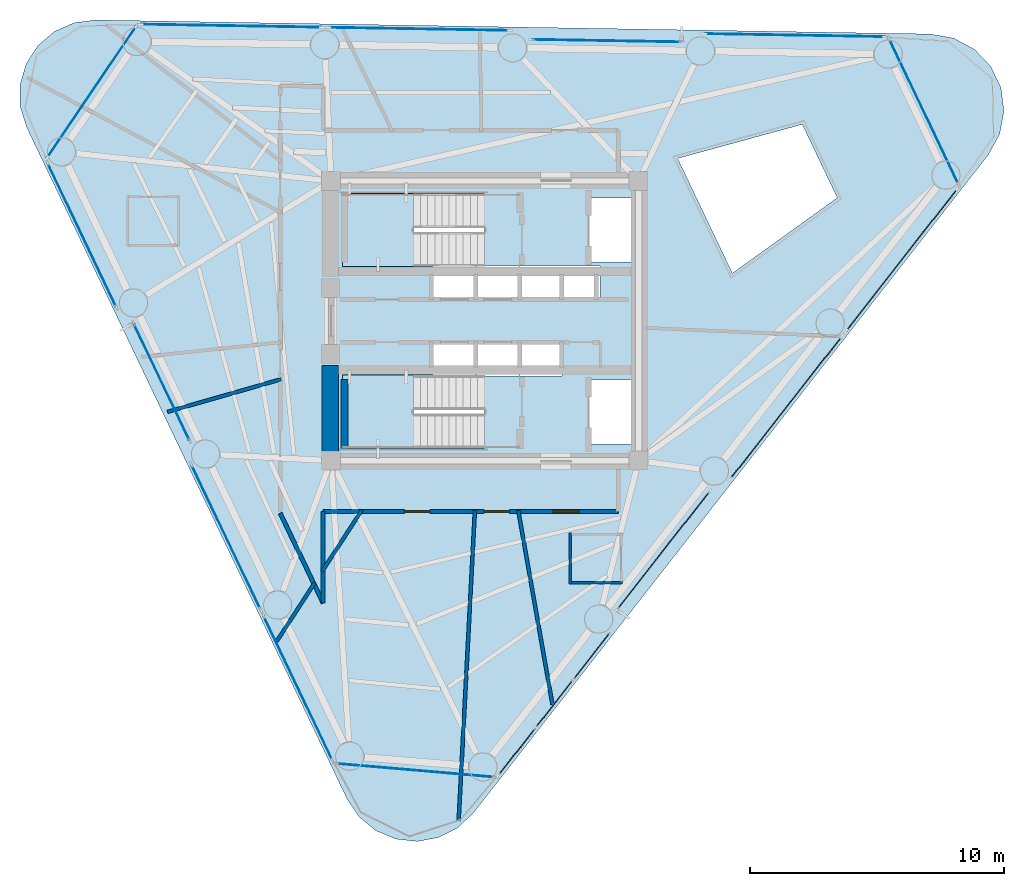
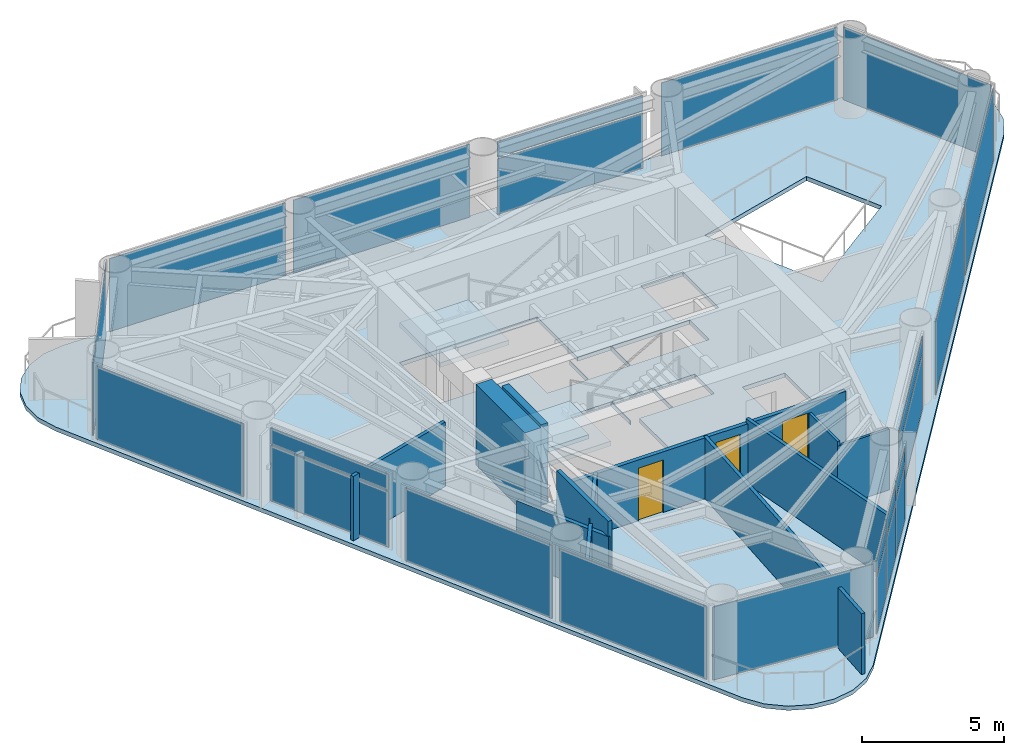
# One storey, part 4 of 9: 23 plates, 12 walls, 3 doors, 3 slabs, 3 openings, 17 elements without a shape of their own.
"""IFC4 building model written with IfcOpenShell, lengths in metres."""

from ifc_helpers import new_model, si_unit, direction, frame, frame_2d, origin, origin_2d, place, context, subcontext, project, spatial, polyline, rectangle, outline, extrude, source, transform, mapped, material, layer, layer_set, type_object, element, fill, aggregate, save


model = new_model("IFC4")

# Units and contexts
model_context = context("Model", 3, precision=1e-05, world=origin(), true_north=direction((0.0, 1.0)))
body_context = subcontext(model_context, "Body", "Model", "MODEL_VIEW")
ifc_project = project(units=[si_unit("LENGTHUNIT", "METRE"), si_unit("AREAUNIT", "SQUARE_METRE"), si_unit("VOLUMEUNIT", "CUBIC_METRE"), si_unit("PLANEANGLEUNIT", "RADIAN"), si_unit("MASSUNIT", "GRAM", prefix="KILO")], contexts=[model_context])

# Site, building, storey
site_placement = place(None, origin())
site = spatial("IfcSite", under=ifc_project, at=site_placement, CompositionType="ELEMENT")
building_placement = place(site_placement, origin())
building = spatial("IfcBuilding", under=site, at=building_placement, Name="Yunling Apex Tower", CompositionType="ELEMENT")
storey_placement = place(building_placement, frame((0.0, 0.0, 198.35009765625)))
storey = spatial("IfcBuildingStorey", under=building, at=storey_placement, Name="L48", CompositionType="ELEMENT", Elevation=198.35009765625)

# Slab
ifc_material_1 = material(Name="Concrete C40", Category="concrete")
ifc_layer_1 = layer(ifc_material_1, 0.1650390625)
ifc_layer_set_1 = layer_set([ifc_layer_1], Name="Concrete C40")
slab_type_1 = type_object("IfcSlabType", Name="SL-FLR-2", PredefinedType="FLOOR", material=ifc_layer_set_1)
slab_1_placement = place(storey_placement, frame((0.0, 0.0, -0.18017578125)))
element("IfcSlab", 1, at=slab_1_placement, inside=storey, type_object=slab_type_1, Name="L48 Composite Tower Floor Slab", PredefinedType="FLOOR", context=body_context, shape_type="SweptSolid", body=[
    extrude(outline(polyline([(-5.42578125, -18.80419921875), (-4.95068359375, -19.513427734375), (-4.29248046875, -20.056884765625), (-3.506103515625, -20.38916015625), (-2.65771484375, -20.482421875), (-1.818115234375, -20.32861328125), (-1.0576171875, -19.941162109375), (-0.439697265625, -19.35205078125), (19.8017578125, 6.518798828125), (20.25244140625, 7.333251953125), (20.427001953125, 8.24755859375), (20.307861328125, 9.1708984375), (19.9072265625, 10.010986328125), (19.2646484375, 10.684326171875), (18.4443359375, 11.1240234375), (17.527587890625, 11.286376953125), (-15.316162109375, 11.8369140625), (-16.16259765625, 11.7275390625), (-16.9423828125, 11.38037109375), (-17.59033203125, 10.824462890625), (-18.0517578125, 10.1064453125), (-18.288330078125, 9.286376953125), (-18.2802734375, 8.4326171875), (-18.0283203125, 7.6171875), (-5.42578125, -18.80419921875)]), holes=[polyline([(12.489013671875, 7.7294921875), (13.86669921875, 4.84130859375), (9.7412109375, 1.87646484375), (7.58837890625, 6.389404296875), (12.489013671875, 7.7294921875)]), polyline([(4.090087890625, -2.320068359375), (5.81005859375, -2.320068359375), (5.81005859375, -4.840087890625), (4.090087890625, -4.840087890625), (4.090087890625, -2.320068359375)]), polyline([(5.81005859375, 4.840087890625), (5.81005859375, 2.320068359375), (4.090087890625, 2.320068359375), (4.090087890625, 4.840087890625), (5.81005859375, 4.840087890625)]), polyline([(1.364990234375, 2.1650390625), (4.534912109375, 2.1650390625), (4.534912109375, 0.794921875), (1.364990234375, 0.794921875), (1.364990234375, 2.1650390625)]), polyline([(3.034912109375, -0.794921875), (3.034912109375, -2.1650390625), (1.364990234375, -2.1650390625), (1.364990234375, -0.794921875), (3.034912109375, -0.794921875)]), polyline([(-2.034912109375, -0.794921875), (-0.364990234375, -0.794921875), (-0.364990234375, -2.139892578125), (-0.3349609375, -2.139892578125), (-0.3349609375, -0.794921875), (1.3349609375, -0.794921875), (1.3349609375, -2.1650390625), (-0.010009765625, -2.1650390625), (-0.010009765625, -5.010009765625), (-5.60009765625, -5.010009765625), (-5.60009765625, -2.139892578125), (-2.034912109375, -2.139892578125), (-2.034912109375, -0.794921875)]), polyline([(-5.60009765625, 2.139892578125), (-5.60009765625, 5.010009765625), (-0.010009765625, 5.010009765625), (-0.010009765625, 2.1650390625), (1.3349609375, 2.1650390625), (1.3349609375, 0.794921875), (-0.3349609375, 0.794921875), (-0.3349609375, 2.139892578125), (-0.364990234375, 2.139892578125), (-0.364990234375, 0.794921875), (-2.034912109375, 0.794921875), (-2.034912109375, 2.139892578125), (-5.60009765625, 2.139892578125)])]), origin(), (0.0, 0.0, 1.0), 0.18017578125),
])

# Stair, slab
stair_type = type_object("IfcStairType", Name="ST-TWR-2", PredefinedType="HALF_TURN_STAIR", material=ifc_material_1)
stair_1_placement = place(storey_placement, origin())
stair_1 = element("IfcStair", 2, at=stair_1_placement, inside=storey, type_object=stair_type, Name="L48 North Core Smokeproof Exit Stair ST-1", PredefinedType="HALF_TURN_STAIR")
ifc_layer_2 = layer(ifc_material_1, 0.195068359375)
ifc_layer_set_2 = layer_set([ifc_layer_2], Name="Concrete C40")
slab_type_2 = type_object("IfcSlabType", Name="SL-LND-1", PredefinedType="LANDING", material=ifc_layer_set_2)
slab_2_placement = place(storey_placement, frame((0.0, 0.0, 1.52978515625)))
slab_2 = element("IfcSlab", 3, at=slab_2_placement, type_object=slab_type_2, Name="ST-1 landing 1", PredefinedType="LANDING", context=body_context, shape_type="SweptSolid", body=[
    extrude(outline(polyline([(-2.81005859375, 5.010009765625), (-5.60009765625, 5.010009765625), (-5.60009765625, 2.139892578125), (-2.81005859375, 2.139892578125), (-2.81005859375, 5.010009765625)])), origin(), (0.0, 0.0, 1.0), 0.195068359375),
])
aggregate(stair_1, [slab_2])

stair_2_placement = place(storey_placement, origin())
stair_2 = element("IfcStair", 4, at=stair_2_placement, inside=storey, type_object=stair_type, Name="L48 South Core Smokeproof Exit Stair ST-2", PredefinedType="HALF_TURN_STAIR")
slab_3_placement = place(storey_placement, frame((0.0, 0.0, 1.52978515625)))
slab_3 = element("IfcSlab", 5, at=slab_3_placement, type_object=slab_type_2, Name="ST-2 landing 1", PredefinedType="LANDING", context=body_context, shape_type="SweptSolid", body=[
    extrude(outline(polyline([(-2.81005859375, -2.139892578125), (-5.60009765625, -2.139892578125), (-5.60009765625, -5.010009765625), (-2.81005859375, -5.010009765625), (-2.81005859375, -2.139892578125)])), origin(), (0.0, 0.0, 1.0), 0.195068359375),
])
aggregate(stair_2, [slab_3])

# Curtain wall, plates
ifc_material_2 = material(Name="Bronze anodised aluminium", Category="aluminium")
ifc_layer_3 = layer(ifc_material_2, 0.239990234375)
ifc_layer_set_3 = layer_set([ifc_layer_3], Name="Bronze anodised aluminium")
curtain_wall_type = type_object("IfcCurtainWallType", Name="CW-SYS-3", PredefinedType="NOTDEFINED", material=ifc_layer_set_3)
curtain_wall_1_placement = place(storey_placement, origin())
curtain_wall_1 = element("IfcCurtainWall", 6, at=curtain_wall_1_placement, inside=storey, type_object=curtain_wall_type, Name="CW-L48-F1-B1", PredefinedType="NOTDEFINED")
ifc_material_3 = material(Name="Bronze tinted low-E glass", Category="glass")
ifc_layer_4 = layer(ifc_material_3, 0.031982421875)
ifc_layer_set_4 = layer_set([ifc_layer_4], Name="Bronze tinted low-E glass")
plate_type = type_object("IfcPlateType", Name="CW-PNL-3", PredefinedType="CURTAIN_PANEL", material=ifc_layer_set_4)
shared_shape_1 = source(origin(), body_context, "Body", "SweptSolid", [
    extrude(rectangle(XDim=2.306396484375, YDim=0.031982421875, at=origin_2d()), origin(), (0.0, 0.0, 1.0), 2.381103515625),
])
plate_1_placement = place(storey_placement, frame((1.266357421875, -16.9443359375, 0.07177734375), z_axis=(0.0, 0.0, 1.0), x_axis=(0.616200489644, 0.787589332433, 0.0)))
plate_1 = element("IfcPlate", 7, at=plate_1_placement, type_object=plate_type, Name="CW-SYS-3 panel 1.1", PredefinedType="CURTAIN_PANEL", context=body_context, shape_type="MappedRepresentation", body=[
    mapped(shared_shape_1, transform((0.0, 0.0, 0.0), scale=1.0)),
])
plate_2_placement = place(storey_placement, frame((4.212158203125, -13.17919921875, 0.07177734375), z_axis=(0.0, 0.0, 1.0), x_axis=(0.616200489644, 0.787589332433, 0.0)))
plate_2 = element("IfcPlate", 8, at=plate_2_placement, type_object=plate_type, Name="CW-SYS-3 panel 3.1", PredefinedType="CURTAIN_PANEL", context=body_context, shape_type="MappedRepresentation", body=[
    mapped(shared_shape_1, transform((0.0, 0.0, 0.0), scale=1.0)),
])
shared_shape_2 = source(origin(), body_context, "Body", "SweptSolid", [
    extrude(rectangle(XDim=2.306396484375, YDim=0.031982421875, at=origin_2d()), origin(), (0.0, 0.0, 1.0), 0.680908203125),
])
plate_3_placement = place(storey_placement, frame((1.266357421875, -16.9443359375, 2.51708984375), z_axis=(0.0, 0.0, 1.0), x_axis=(0.616200489644, 0.787589332433, 0.0)))
plate_3 = element("IfcPlate", 9, at=plate_3_placement, type_object=plate_type, Name="CW-SYS-3 panel 1.2", PredefinedType="CURTAIN_PANEL", context=body_context, shape_type="MappedRepresentation", body=[
    mapped(shared_shape_2, transform((0.0, 0.0, 0.0), scale=1.0)),
])
plate_4_placement = place(storey_placement, frame((4.212158203125, -13.17919921875, 2.51708984375), z_axis=(0.0, 0.0, 1.0), x_axis=(0.616200489644, 0.787589332433, 0.0)))
plate_4 = element("IfcPlate", 10, at=plate_4_placement, type_object=plate_type, Name="CW-SYS-3 panel 3.2", PredefinedType="CURTAIN_PANEL", context=body_context, shape_type="MappedRepresentation", body=[
    mapped(shared_shape_2, transform((0.0, 0.0, 0.0), scale=1.0)),
])
shared_shape_3 = source(origin(), body_context, "Body", "SweptSolid", [
    extrude(rectangle(XDim=2.34619140625, YDim=0.031982421875, at=origin_2d()), origin(), (0.0, 0.0, 1.0), 2.381103515625),
])
plate_5_placement = place(storey_placement, frame((2.7392578125, -15.061767578125, 0.07177734375), z_axis=(0.0, 0.0, 1.0), x_axis=(0.616200489644, 0.787589332433, 0.0)))
plate_5 = element("IfcPlate", 11, at=plate_5_placement, type_object=plate_type, Name="CW-SYS-3 panel 2.1", PredefinedType="CURTAIN_PANEL", context=body_context, shape_type="MappedRepresentation", body=[
    mapped(shared_shape_3, transform((0.0, 0.0, 0.0), scale=1.0)),
])
shared_shape_4 = source(origin(), body_context, "Body", "SweptSolid", [
    extrude(rectangle(XDim=2.34619140625, YDim=0.031982421875, at=origin_2d()), origin(), (0.0, 0.0, 1.0), 0.680908203125),
])
plate_6_placement = place(storey_placement, frame((2.7392578125, -15.061767578125, 2.51708984375), z_axis=(0.0, 0.0, 1.0), x_axis=(0.616200489644, 0.787589332433, 0.0)))
plate_6 = element("IfcPlate", 12, at=plate_6_placement, type_object=plate_type, Name="CW-SYS-3 panel 2.2", PredefinedType="CURTAIN_PANEL", context=body_context, shape_type="MappedRepresentation", body=[
    mapped(shared_shape_4, transform((0.0, 0.0, 0.0), scale=1.0)),
])
aggregate(curtain_wall_1, [plate_1, plate_3, plate_5, plate_6, plate_2, plate_4])

# Curtain wall, plate
curtain_wall_2_placement = place(storey_placement, origin())
curtain_wall_2 = element("IfcCurtainWall", 13, at=curtain_wall_2_placement, inside=storey, type_object=curtain_wall_type, Name="CW-L48-F1-B2", PredefinedType="NOTDEFINED")
shared_shape_5 = source(origin(), body_context, "Body", "SweptSolid", [
    extrude(rectangle(XDim=5.846923828125, YDim=0.031982421875, at=origin_2d()), origin(), (0.0, 0.0, 1.0), 2.381103515625),
])
plate_7_placement = place(storey_placement, frame((7.025634765625, -9.03125, 0.07177734375), z_axis=(0.0, 0.0, 1.0), x_axis=(0.616216892053, 0.787576499109, 0.0)))
plate_7 = element("IfcPlate", 14, at=plate_7_placement, type_object=plate_type, Name="CW-SYS-3 panel 1.1", PredefinedType="CURTAIN_PANEL", context=body_context, shape_type="MappedRepresentation", body=[
    mapped(shared_shape_5, transform((0.0, 0.0, 0.0), scale=1.0)),
])

curtain_wall_3_placement = place(storey_placement, origin())
curtain_wall_3 = element("IfcCurtainWall", 15, at=curtain_wall_3_placement, inside=storey, type_object=curtain_wall_type, Name="CW-L48-F2-B2", PredefinedType="NOTDEFINED")
plate_8_placement = place(storey_placement, frame((4.792724609375, 11.019775390625, 0.07177734375), z_axis=(0.0, 0.0, 1.0), x_axis=(-0.999859564213, 0.016758635119, 0.0)))
plate_8 = element("IfcPlate", 16, at=plate_8_placement, type_object=plate_type, Name="CW-SYS-3 panel 1.1", PredefinedType="CURTAIN_PANEL", context=body_context, shape_type="MappedRepresentation", body=[
    mapped(shared_shape_5, transform((0.0, 0.0, 0.0), scale=1.0)),
])

# Plate
shared_shape_6 = source(origin(), body_context, "Body", "SweptSolid", [
    extrude(rectangle(XDim=5.846923828125, YDim=0.031982421875, at=origin_2d()), origin(), (0.0, 0.0, 1.0), 0.680908203125),
])
plate_9_placement = place(storey_placement, frame((7.025634765625, -9.03125, 2.51708984375), z_axis=(0.0, 0.0, 1.0), x_axis=(0.616216892053, 0.787576499109, 0.0)))
plate_9 = element("IfcPlate", 17, at=plate_9_placement, type_object=plate_type, Name="CW-SYS-3 panel 1.2", PredefinedType="CURTAIN_PANEL", context=body_context, shape_type="MappedRepresentation", body=[
    mapped(shared_shape_6, transform((0.0, 0.0, 0.0), scale=1.0)),
])

aggregate(curtain_wall_2, [plate_7, plate_9])

plate_10_placement = place(storey_placement, frame((4.792724609375, 11.019775390625, 2.51708984375), z_axis=(0.0, 0.0, 1.0), x_axis=(-0.999859564213, 0.016758635119, 0.0)))
plate_10 = element("IfcPlate", 18, at=plate_10_placement, type_object=plate_type, Name="CW-SYS-3 panel 1.2", PredefinedType="CURTAIN_PANEL", context=body_context, shape_type="MappedRepresentation", body=[
    mapped(shared_shape_6, transform((0.0, 0.0, 0.0), scale=1.0)),
])

aggregate(curtain_wall_3, [plate_8, plate_10])

# Curtain wall, plate
curtain_wall_4_placement = place(storey_placement, origin())
curtain_wall_4 = element("IfcCurtainWall", 19, at=curtain_wall_4_placement, inside=storey, type_object=curtain_wall_type, Name="CW-L48-F1-B3", PredefinedType="NOTDEFINED")
shared_shape_7 = source(origin(), body_context, "Body", "SweptSolid", [
    extrude(rectangle(XDim=7.0869140625, YDim=0.031982421875, at=origin_2d()), origin(), (0.0, 0.0, 1.0), 3.1259765625),
])
plate_11_placement = place(storey_placement, frame((11.847900390625, -3.419921875, 0.072021484375), z_axis=(0.0, 0.0, 1.0), x_axis=(0.616200489644, 0.787589332433, 0.0)))
plate_11 = element("IfcPlate", 20, at=plate_11_placement, type_object=plate_type, Name="CW-SYS-3 panel 1.1", PredefinedType="CURTAIN_PANEL", context=body_context, shape_type="MappedRepresentation", body=[
    mapped(shared_shape_7, transform((0.0, 0.0, 0.0), scale=1.0)),
])
aggregate(curtain_wall_4, [plate_11])

curtain_wall_5_placement = place(storey_placement, origin())
curtain_wall_5 = element("IfcCurtainWall", 21, at=curtain_wall_5_placement, inside=storey, type_object=curtain_wall_type, Name="CW-L48-F1-B4", PredefinedType="NOTDEFINED")
plate_12_placement = place(storey_placement, frame((16.402099609375, 2.401123046875, 0.072021484375), z_axis=(0.0, 0.0, 1.0), x_axis=(0.616200489644, 0.787589332433, 0.0)))
plate_12 = element("IfcPlate", 22, at=plate_12_placement, type_object=plate_type, Name="CW-SYS-3 panel 1.1", PredefinedType="CURTAIN_PANEL", context=body_context, shape_type="MappedRepresentation", body=[
    mapped(shared_shape_7, transform((0.0, 0.0, 0.0), scale=1.0)),
])
aggregate(curtain_wall_5, [plate_12])

curtain_wall_6_placement = place(storey_placement, origin())
curtain_wall_6 = element("IfcCurtainWall", 23, at=curtain_wall_6_placement, inside=storey, type_object=curtain_wall_type, Name="CW-L48-F2-B1", PredefinedType="NOTDEFINED")
plate_13_placement = place(storey_placement, frame((12.188232421875, 11.23583984375, 0.072021484375), z_axis=(0.0, 0.0, 1.0), x_axis=(-0.999859518498, 0.016761362354, 0.0)))
plate_13 = element("IfcPlate", 24, at=plate_13_placement, type_object=plate_type, Name="CW-SYS-3 panel 1.1", PredefinedType="CURTAIN_PANEL", context=body_context, shape_type="MappedRepresentation", body=[
    mapped(shared_shape_7, transform((0.0, 0.0, 0.0), scale=1.0)),
])
aggregate(curtain_wall_6, [plate_13])

curtain_wall_7_placement = place(storey_placement, origin())
curtain_wall_7 = element("IfcCurtainWall", 25, at=curtain_wall_7_placement, inside=storey, type_object=curtain_wall_type, Name="CW-L48-F2-B3", PredefinedType="NOTDEFINED")
plate_14_placement = place(storey_placement, frame((-2.591552734375, 11.483642578125, 0.072021484375), z_axis=(0.0, 0.0, 1.0), x_axis=(-0.999859754051, 0.016747305141, 0.0)))
plate_14 = element("IfcPlate", 26, at=plate_14_placement, type_object=plate_type, Name="CW-SYS-3 panel 1.1", PredefinedType="CURTAIN_PANEL", context=body_context, shape_type="MappedRepresentation", body=[
    mapped(shared_shape_7, transform((0.0, 0.0, 0.0), scale=1.0)),
])
aggregate(curtain_wall_7, [plate_14])

curtain_wall_8_placement = place(storey_placement, origin())
curtain_wall_8 = element("IfcCurtainWall", 27, at=curtain_wall_8_placement, inside=storey, type_object=curtain_wall_type, Name="CW-L48-F2-B4", PredefinedType="NOTDEFINED")
plate_15_placement = place(storey_placement, frame((-9.9814453125, 11.607421875, 0.072021484375), z_axis=(0.0, 0.0, 1.0), x_axis=(-0.999859518498, 0.016761362354, 0.0)))
plate_15 = element("IfcPlate", 28, at=plate_15_placement, type_object=plate_type, Name="CW-SYS-3 panel 1.1", PredefinedType="CURTAIN_PANEL", context=body_context, shape_type="MappedRepresentation", body=[
    mapped(shared_shape_7, transform((0.0, 0.0, 0.0), scale=1.0)),
])
aggregate(curtain_wall_8, [plate_15])

curtain_wall_9_placement = place(storey_placement, origin())
curtain_wall_9 = element("IfcCurtainWall", 29, at=curtain_wall_9_placement, inside=storey, type_object=curtain_wall_type, Name="CW-L48-CRN1", PredefinedType="NOTDEFINED")
shared_shape_8 = source(origin(), body_context, "Body", "SweptSolid", [
    extrude(rectangle(XDim=6.31494140625, YDim=0.031982421875, at=origin_2d()), origin(), (0.0, 0.0, 1.0), 3.1259765625),
])
plate_16_placement = place(storey_placement, frame((17.273193359375, 8.239013671875, 0.072021484375), z_axis=(0.0, 0.0, 1.0), x_axis=(-0.430527245951, 0.902577581426, 0.0)))
plate_16 = element("IfcPlate", 30, at=plate_16_placement, type_object=plate_type, Name="CW-SYS-3 panel 1.1", PredefinedType="CURTAIN_PANEL", context=body_context, shape_type="MappedRepresentation", body=[
    mapped(shared_shape_8, transform((0.0, 0.0, 0.0), scale=1.0)),
])
aggregate(curtain_wall_9, [plate_16])

curtain_wall_10_placement = place(storey_placement, origin())
curtain_wall_10 = element("IfcCurtainWall", 31, at=curtain_wall_10_placement, inside=storey, type_object=curtain_wall_type, Name="CW-L48-CRN2", PredefinedType="NOTDEFINED")
shared_shape_9 = source(origin(), body_context, "Body", "SweptSolid", [
    extrude(rectangle(XDim=6.237060546875, YDim=0.031982421875, at=origin_2d()), origin(), (0.0, 0.0, 1.0), 3.1259765625),
])
plate_17_placement = place(storey_placement, frame((-15.465087890625, 9.007080078125, 0.072021484375), z_axis=(0.0, 0.0, 1.0), x_axis=(-0.56057021458, -0.828106898006, 0.0)))
plate_17 = element("IfcPlate", 32, at=plate_17_placement, type_object=plate_type, Name="CW-SYS-3 panel 1.1", PredefinedType="CURTAIN_PANEL", context=body_context, shape_type="MappedRepresentation", body=[
    mapped(shared_shape_9, transform((0.0, 0.0, 0.0), scale=1.0)),
])
aggregate(curtain_wall_10, [plate_17])

curtain_wall_11_placement = place(storey_placement, origin())
curtain_wall_11 = element("IfcCurtainWall", 33, at=curtain_wall_11_placement, inside=storey, type_object=curtain_wall_type, Name="CW-L48-CRN3", PredefinedType="NOTDEFINED")
plate_18_placement = place(storey_placement, frame((-2.732666015625, -17.68701171875, 0.072021484375), z_axis=(0.0, 0.0, 1.0), x_axis=(0.996336698637, -0.085517150026, 0.0)))
plate_18 = element("IfcPlate", 34, at=plate_18_placement, type_object=plate_type, Name="CW-SYS-3 panel 1.1", PredefinedType="CURTAIN_PANEL", context=body_context, shape_type="MappedRepresentation", body=[
    mapped(shared_shape_9, transform((0.0, 0.0, 0.0), scale=1.0)),
])
aggregate(curtain_wall_11, [plate_18])

curtain_wall_12_placement = place(storey_placement, origin())
curtain_wall_12 = element("IfcCurtainWall", 35, at=curtain_wall_12_placement, inside=storey, type_object=curtain_wall_type, Name="CW-L48-F3-B1", PredefinedType="NOTDEFINED")
shared_shape_10 = source(origin(), body_context, "Body", "SweptSolid", [
    extrude(rectangle(XDim=6.282470703125, YDim=0.031982421875, at=origin_2d()), origin(), (0.0, 0.0, 1.0), 3.1259765625),
])
plate_19_placement = place(storey_placement, frame((-15.85400390625, 3.384033203125, 0.072021484375), z_axis=(0.0, 0.0, 1.0), x_axis=(0.430517577128, -0.902582193367, 0.0)))
plate_19 = element("IfcPlate", 36, at=plate_19_placement, type_object=plate_type, Name="CW-SYS-3 panel 1.1", PredefinedType="CURTAIN_PANEL", context=body_context, shape_type="MappedRepresentation", body=[
    mapped(shared_shape_10, transform((0.0, 0.0, 0.0), scale=1.0)),
])
aggregate(curtain_wall_12, [plate_19])

curtain_wall_13_placement = place(storey_placement, origin())
curtain_wall_13 = element("IfcCurtainWall", 37, at=curtain_wall_13_placement, inside=storey, type_object=curtain_wall_type, Name="CW-L48-F3-B3", PredefinedType="NOTDEFINED")
plate_20_placement = place(storey_placement, frame((-10.182861328125, -8.505615234375, 0.072021484375), z_axis=(0.0, 0.0, 1.0), x_axis=(0.430504900417, -0.902588239851, 0.0)))
plate_20 = element("IfcPlate", 38, at=plate_20_placement, type_object=plate_type, Name="CW-SYS-3 panel 1.1", PredefinedType="CURTAIN_PANEL", context=body_context, shape_type="MappedRepresentation", body=[
    mapped(shared_shape_10, transform((0.0, 0.0, 0.0), scale=1.0)),
])
aggregate(curtain_wall_13, [plate_20])

curtain_wall_14_placement = place(storey_placement, origin())
curtain_wall_14 = element("IfcCurtainWall", 39, at=curtain_wall_14_placement, inside=storey, type_object=curtain_wall_type, Name="CW-L48-F3-B4", PredefinedType="NOTDEFINED")
plate_21_placement = place(storey_placement, frame((-7.347412109375, -14.450439453125, 0.072021484375), z_axis=(0.0, 0.0, 1.0), x_axis=(0.430517577128, -0.902582193367, 0.0)))
plate_21 = element("IfcPlate", 40, at=plate_21_placement, type_object=plate_type, Name="CW-SYS-3 panel 1.1", PredefinedType="CURTAIN_PANEL", context=body_context, shape_type="MappedRepresentation", body=[
    mapped(shared_shape_10, transform((0.0, 0.0, 0.0), scale=1.0)),
])
aggregate(curtain_wall_14, [plate_21])

# Curtain wall, plates
curtain_wall_15_placement = place(storey_placement, origin())
curtain_wall_15 = element("IfcCurtainWall", 41, at=curtain_wall_15_placement, inside=storey, type_object=curtain_wall_type, Name="CW-L48-F3-B2", PredefinedType="NOTDEFINED")
shared_shape_11 = source(origin(), body_context, "Body", "SweptSolid", [
    extrude(rectangle(XDim=5.042236328125, YDim=0.031982421875, at=origin_2d()), origin(), (0.0, 0.0, 1.0), 2.381103515625),
])
plate_22_placement = place(storey_placement, frame((-12.71142578125, -2.41455078125, 0.07177734375), z_axis=(0.0, 0.0, 1.0), x_axis=(0.430515783062, -0.902583049107, 0.0)))
plate_22 = element("IfcPlate", 42, at=plate_22_placement, type_object=plate_type, Name="CW-SYS-3 panel 1.1", PredefinedType="CURTAIN_PANEL", context=body_context, shape_type="MappedRepresentation", body=[
    mapped(shared_shape_11, transform((0.0, 0.0, 0.0), scale=1.0)),
])
shared_shape_12 = source(origin(), body_context, "Body", "SweptSolid", [
    extrude(rectangle(XDim=5.042236328125, YDim=0.031982421875, at=origin_2d()), origin(), (0.0, 0.0, 1.0), 0.680908203125),
])
plate_23_placement = place(storey_placement, frame((-12.71142578125, -2.41455078125, 2.51708984375), z_axis=(0.0, 0.0, 1.0), x_axis=(0.430515783062, -0.902583049107, 0.0)))
plate_23 = element("IfcPlate", 43, at=plate_23_placement, type_object=plate_type, Name="CW-SYS-3 panel 1.2", PredefinedType="CURTAIN_PANEL", context=body_context, shape_type="MappedRepresentation", body=[
    mapped(shared_shape_12, transform((0.0, 0.0, 0.0), scale=1.0)),
])
aggregate(curtain_wall_15, [plate_22, plate_23])

# Walls
ifc_material_4 = material(Name="Concrete C50", Category="concrete")
ifc_layer_5 = layer(ifc_material_4, 0.64990234375)
ifc_layer_set_5 = layer_set([ifc_layer_5], Name="Concrete C50")
wall_type_1 = type_object("IfcWallType", Name="WL-COR-2", PredefinedType="SHEAR", material=ifc_layer_set_5)
wall_1_placement = place(storey_placement, frame((-6.074951171875, -5.199951171875, 0.0), z_axis=(0.0, 0.0, 1.0), x_axis=(0.0, 1.0, 0.0)))
element("IfcWall", 44, at=wall_1_placement, inside=storey, type_object=wall_type_1, Name="L48 West-South Core Shear Wall", PredefinedType="SHEAR", context=body_context, shape_type="SweptSolid", body=[
    extrude(rectangle(XDim=3.449951171875, YDim=0.64990234375, at=frame_2d((1.72509765625, 0.0))), origin(), (0.0, 0.0, 1.0), 3.449951171875),
])
ifc_layer_6 = layer(ifc_material_1, 0.280029296875)
ifc_layer_set_6 = layer_set([ifc_layer_6], Name="Concrete C40")
wall_type_2 = type_object("IfcWallType", Name="WL-COR-8", PredefinedType="SHEAR", material=ifc_layer_set_6)
wall_2_placement = place(storey_placement, frame((-5.52001953125, -5.050048828125, 0.0), z_axis=(0.0, 0.0, 1.0), x_axis=(0.0, 1.0, 0.0)))
element("IfcWall", 45, at=wall_2_placement, inside=storey, type_object=wall_type_2, Name="L48 ST-2 West Landing Bearing Wall", PredefinedType="SHEAR", context=body_context, shape_type="SweptSolid", body=[
    extrude(rectangle(XDim=2.75, YDim=0.280029296875, at=frame_2d((1.375, 0.0))), origin(), (0.0, 0.0, 1.0), 3.449951171875),
])
ifc_material_5 = material(Name="Gypsum board acoustic partition")
ifc_layer_7 = layer(ifc_material_5, 0.159912109375)
ifc_layer_set_7 = layer_set([ifc_layer_7], Name="Gypsum board acoustic partition")
wall_type_3 = type_object("IfcWallType", Name="WL-PRT-1", PredefinedType="PARTITIONING", material=ifc_layer_set_7)
wall_3_placement = place(storey_placement, frame((-6.360107421875, -11.1083984375, 0.0), z_axis=(0.0, 0.0, 1.0), x_axis=(-0.430493571255, 0.902593643401, 0.0)))
element("IfcWall", 46, at=wall_3_placement, inside=storey, type_object=wall_type_3, Name="WL-CORR-L48-01", PredefinedType="PARTITIONING", context=body_context, shape_type="SweptSolid", body=[
    extrude(rectangle(XDim=3.925537109375, YDim=0.159912109375, at=frame_2d((1.962890625, 0.0))), origin(), (0.0, 0.0, 1.0), 2.60498046875),
])

# Wall, openings, doors
wall_4_placement = place(storey_placement, frame((5.25, -7.5, 0.0), z_axis=(0.0, 0.0, 1.0), x_axis=(-1.0, 0.0, 0.0)))
wall_4 = element("IfcWall", 47, at=wall_4_placement, inside=storey, type_object=wall_type_3, Name="WL-CORR-L48-09", PredefinedType="PARTITIONING", context=body_context, shape_type="SweptSolid", body=[
    extrude(rectangle(XDim=11.610107421875, YDim=0.159912109375, at=frame_2d((5.80517578125, 0.0))), origin(), (0.0, 0.0, 1.0), 2.60498046875),
])
opening_1_placement = place(wall_4_placement, frame((1.525146484375, 0.0, 0.0)))
opening_1 = element("IfcOpeningElement", 48, at=opening_1_placement, cuts=wall_4, Name="Opening DR-FL-1", PredefinedType="OPENING", context=body_context, shape_type="SweptSolid", body=[
    extrude(rectangle(XDim=1.050048828125, YDim=2.199951171875, at=frame_2d((0.52490234375, 1.10009765625))), frame((0.0, 0.08984375, 0.0), z_axis=(0.0, -1.0, 0.0), x_axis=(1.0, 0.0, 0.0)), (0.0, 0.0, 1.0), 0.179931640625),
])
opening_2_placement = place(wall_4_placement, frame((4.28076171875, 0.0, 0.0)))
opening_2 = element("IfcOpeningElement", 49, at=opening_2_placement, cuts=wall_4, Name="Opening DR-OFF-1", PredefinedType="OPENING", context=body_context, shape_type="SweptSolid", body=[
    extrude(rectangle(XDim=1.0, YDim=2.25, at=frame_2d((0.5, 1.125))), frame((0.0, 0.08984375, 0.0), z_axis=(0.0, -1.0, 0.0), x_axis=(1.0, 0.0, 0.0)), (0.0, 0.0, 1.0), 0.179931640625),
])
opening_3_placement = place(wall_4_placement, frame((7.4091796875, 0.0, 0.0)))
opening_3 = element("IfcOpeningElement", 50, at=opening_3_placement, cuts=wall_4, Name="Opening DR-OFF-1", PredefinedType="OPENING", context=body_context, shape_type="SweptSolid", body=[
    extrude(rectangle(XDim=1.0, YDim=2.25, at=frame_2d((0.5, 1.125))), frame((0.0, 0.08984375, 0.0), z_axis=(0.0, -1.0, 0.0), x_axis=(1.0, 0.0, 0.0)), (0.0, 0.0, 1.0), 0.179931640625),
])
ifc_material_6 = material(Name="Timber fire-rated leaf", Category="wood")
door_type_1 = type_object("IfcDoorType", Name="DR-FL-1", OperationType="NOTDEFINED", PredefinedType="DOOR", material=ifc_material_6)
door_1_placement = place(opening_1_placement, origin())
door_1 = element("IfcDoor", 51, at=door_1_placement, inside=storey, type_object=door_type_1, Name="L48 Hotel Suite Door", OperationType="SINGLE_SWING_RIGHT", OverallHeight=2.199951171875, OverallWidth=1.050048828125, PredefinedType="DOOR", context=body_context, shape_type="SweptSolid", body=[
    extrude(rectangle(XDim=1.050048828125, YDim=2.199951171875, at=frame_2d((0.52490234375, 1.10009765625))), frame((0.0, 0.02490234375, 0.0), z_axis=(0.0, -1.0, 0.0), x_axis=(1.0, 0.0, 0.0)), (0.0, 0.0, 1.0), 0.050048828125),
])
fill(opening_1, door_1)
door_type_2 = type_object("IfcDoorType", Name="DR-OFF-1", OperationType="NOTDEFINED", PredefinedType="DOOR", material=ifc_material_2)
door_2_placement = place(opening_2_placement, origin())
door_2 = element("IfcDoor", 52, at=door_2_placement, inside=storey, type_object=door_type_2, Name="L48 Club Lounge Door", OperationType="SINGLE_SWING_LEFT", OverallHeight=2.25, OverallWidth=1.0, PredefinedType="DOOR", context=body_context, shape_type="SweptSolid", body=[
    extrude(rectangle(XDim=1.0, YDim=2.25, at=frame_2d((0.5, 1.125))), frame((0.0, 0.02490234375, 0.0), z_axis=(0.0, -1.0, 0.0), x_axis=(1.0, 0.0, 0.0)), (0.0, 0.0, 1.0), 0.050048828125),
])
fill(opening_2, door_2)
door_3_placement = place(opening_3_placement, origin())
door_3 = element("IfcDoor", 53, at=door_3_placement, inside=storey, type_object=door_type_2, Name="L48 Hotel Fitness Club Door", OperationType="SINGLE_SWING_RIGHT", OverallHeight=2.25, OverallWidth=1.0, PredefinedType="DOOR", context=body_context, shape_type="SweptSolid", body=[
    extrude(rectangle(XDim=1.0, YDim=2.25, at=frame_2d((0.5, 1.125))), frame((0.0, 0.02490234375, 0.0), z_axis=(0.0, -1.0, 0.0), x_axis=(1.0, 0.0, 0.0)), (0.0, 0.0, 1.0), 0.050048828125),
])
fill(opening_3, door_3)

# Walls
wall_5_placement = place(storey_placement, frame((-6.360107421875, -7.5, 0.0), z_axis=(0.0, 0.0, 1.0), x_axis=(0.0, -1.0, 0.0)))
element("IfcWall", 54, at=wall_5_placement, inside=storey, type_object=wall_type_3, Name="WL-CORR-L48-10", PredefinedType="PARTITIONING", context=body_context, shape_type="SweptSolid", body=[
    extrude(rectangle(XDim=3.6083984375, YDim=0.159912109375, at=frame_2d((1.80419921875, 0.0))), origin(), (0.0, 0.0, 1.0), 3.25),
])
ifc_layer_8 = layer(ifc_material_5, 0.139892578125)
ifc_layer_set_8 = layer_set([ifc_layer_8], Name="Gypsum board acoustic partition")
wall_type_4 = type_object("IfcWallType", Name="WL-PRT-2", PredefinedType="PARTITIONING", material=ifc_layer_set_8)
wall_6_placement = place(storey_placement, frame((-8.010009765625, -2.296875, 0.0), z_axis=(0.0, 0.0, 1.0), x_axis=(-0.961260451266, -0.275641696467, 0.0)))
element("IfcWall", 55, at=wall_6_placement, inside=storey, type_object=wall_type_4, Name="WL-RAD-L48-07", PredefinedType="PARTITIONING", context=body_context, shape_type="SweptSolid", body=[
    extrude(rectangle(XDim=4.657958984375, YDim=0.139892578125, at=frame_2d((2.3291015625, 0.0))), origin(), (0.0, 0.0, 1.0), 2.764892578125),
])
wall_7_placement = place(storey_placement, frame((-4.844482421875, -7.4599609375, 0.0), z_axis=(0.0, 0.0, 1.0), x_axis=(-0.544657766351, -0.838658403376, 0.0)))
element("IfcWall", 56, at=wall_7_placement, inside=storey, type_object=wall_type_4, Name="WL-RAD-L48-08", PredefinedType="PARTITIONING", context=body_context, shape_type="SweptSolid", body=[
    extrude(rectangle(XDim=2.855712890625, YDim=0.139892578125, at=frame_2d((1.427734375, 0.0))), origin(), (0.0, 0.0, 1.0), 2.60498046875),
])
wall_8_placement = place(storey_placement, frame((-6.696044921875, -10.310791015625, 0.0), z_axis=(0.0, 0.0, 1.0), x_axis=(-0.54459891399, -0.838696621479, 0.0)))
element("IfcWall", 57, at=wall_8_placement, inside=storey, type_object=wall_type_4, Name="WL-RAD-L48-09", PredefinedType="PARTITIONING", context=body_context, shape_type="SweptSolid", body=[
    extrude(rectangle(XDim=2.73291015625, YDim=0.139892578125, at=frame_2d((1.366455078125, 0.0))), origin(), (0.0, 0.0, 1.0), 2.764892578125),
])
wall_9_placement = place(storey_placement, frame((-0.39111328125, -7.4599609375, 0.0), z_axis=(0.0, 0.0, 1.0), x_axis=(-0.052329252614, -0.998629886054, 0.0)))
element("IfcWall", 58, at=wall_9_placement, inside=storey, type_object=wall_type_4, Name="WL-RAD-L48-10", PredefinedType="PARTITIONING", context=body_context, shape_type="SweptSolid", body=[
    extrude(rectangle(XDim=12.2236328125, YDim=0.139892578125, at=frame_2d((6.11181640625, 0.0))), origin(), (0.0, 0.0, 1.0), 2.60498046875),
])
wall_10_placement = place(storey_placement, frame((1.3154296875, -7.4599609375, 0.0), z_axis=(0.0, 0.0, 1.0), x_axis=(0.173654204409, -0.984806690316, 0.0)))
element("IfcWall", 59, at=wall_10_placement, inside=storey, type_object=wall_type_4, Name="WL-RAD-L48-11", PredefinedType="PARTITIONING", context=body_context, shape_type="SweptSolid", body=[
    extrude(rectangle(XDim=7.753662109375, YDim=0.139892578125, at=frame_2d((3.876953125, 0.0))), origin(), (0.0, 0.0, 1.0), 2.764892578125),
])
ifc_layer_9 = layer(ifc_material_5, 0.10009765625)
ifc_layer_set_9 = layer_set([ifc_layer_9], Name="Gypsum board acoustic partition")
wall_type_5 = type_object("IfcWallType", Name="WL-PRT-4", PredefinedType="PARTITIONING", material=ifc_layer_set_9)
wall_11_placement = place(storey_placement, frame((5.409912109375, -10.297119140625, 0.0), z_axis=(0.0, 0.0, 1.0), x_axis=(-1.0, 0.0, 0.0)))
element("IfcWall", 60, at=wall_11_placement, inside=storey, type_object=wall_type_5, Name="WL-ENS-L48-5S", PredefinedType="PARTITIONING", context=body_context, shape_type="SweptSolid", body=[
    extrude(rectangle(XDim=2.099853515625, YDim=0.10009765625, at=frame_2d((1.0498046875, 0.0))), origin(), (0.0, 0.0, 1.0), 2.60498046875),
])
wall_12_placement = place(storey_placement, frame((3.360107421875, -10.346923828125, 0.0), z_axis=(0.0, 0.0, 1.0), x_axis=(0.0, 1.0, 0.0)))
element("IfcWall", 61, at=wall_12_placement, inside=storey, type_object=wall_type_5, Name="WL-ENS-L48-5W", PredefinedType="PARTITIONING", context=body_context, shape_type="SweptSolid", body=[
    extrude(rectangle(XDim=2.0, YDim=0.10009765625, at=frame_2d((1.0, 0.0))), origin(), (0.0, 0.0, 1.0), 2.804931640625),
])

save(model, "model.ifc")
